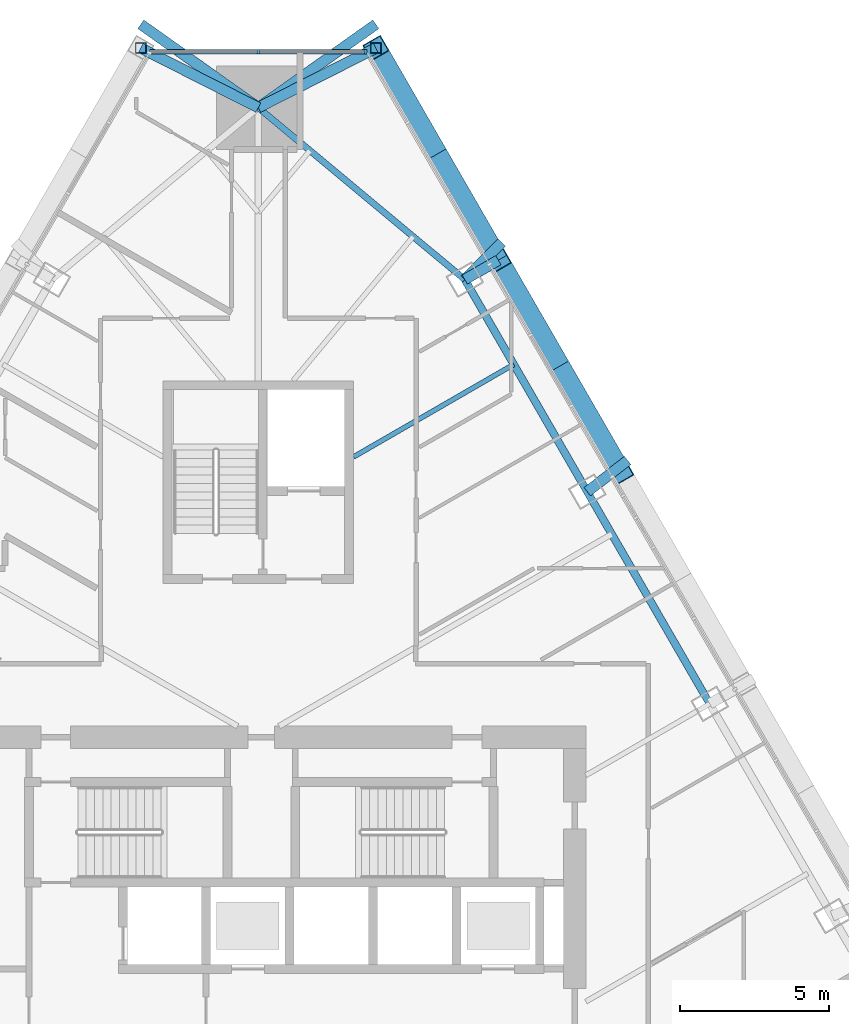
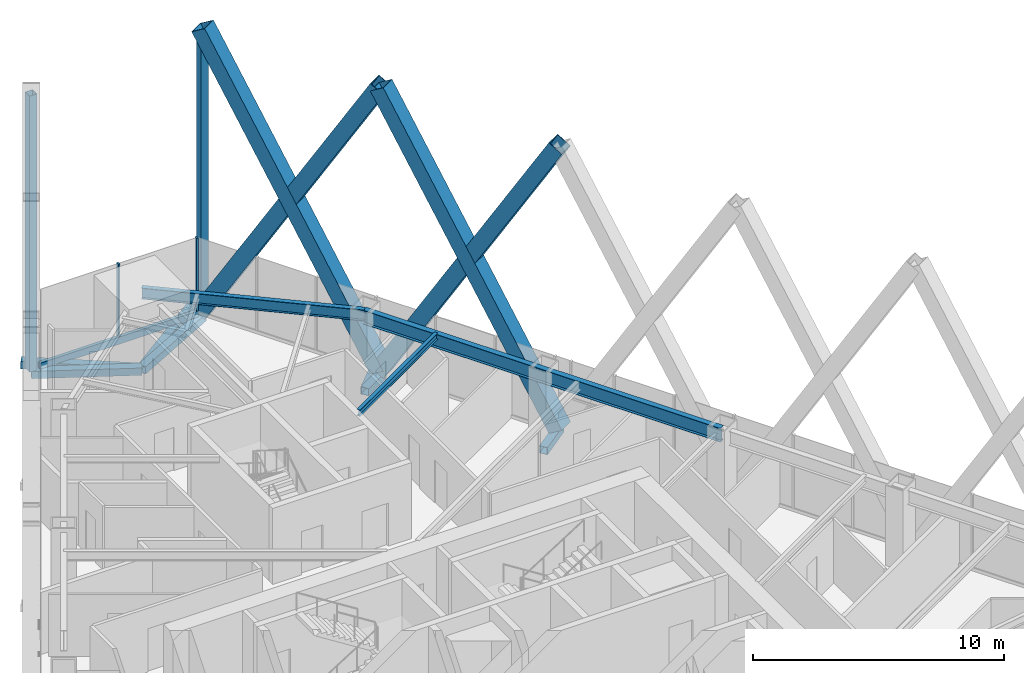
# One storey, part 11 of 19: 16 members, 3 beams, 1 element without a shape of its own.
"""IFC4 building model written with IfcOpenShell, lengths in metres."""

import ifcopenshell
import ifcopenshell.guid

model = None  # the IFC model being written
_history = None  # IfcOwnerHistory: only IFC2X3 demands one
_inside = {}  # id of a spatial element -> (the spatial element, [elements in it])
_under = {}  # id of a project, library or spatial element -> (it, [spatial elements below it])
_declared = {}  # id of a project -> (the project, [libraries it declares])
_typed = {}  # id of a type object -> (the type object, [elements of that type])
_made_of = {}  # id of a material, layer set ... -> (it, [elements and type objects made of it])


def new_model(schema):
    """Start an empty IFC model of exactly this schema.

    Asked for "IFC4X3", IfcOpenShell would pick the latest addendum, in which some entities
    have other attributes; the version numbers below select the first issue.
    IFC2X3 requires an IfcOwnerHistory on every rooted entity: one is made here for all.
    """
    global model, _history
    if schema == "IFC4X3":
        model = ifcopenshell.file(schema_version=(4, 3, 0, 0))
    else:
        model = ifcopenshell.file(schema=schema)
    _inside.clear()
    _under.clear()
    _declared.clear()
    _typed.clear()
    _made_of.clear()
    _history = None
    if model.schema == "IFC2X3":
        org = make("IfcOrganization", Name="unknown")
        user = make(
            "IfcPersonAndOrganization",
            ThePerson=make("IfcPerson", FamilyName="unknown"),
            TheOrganization=org,
        )
        app = make(
            "IfcApplication",
            ApplicationDeveloper=org,
            Version="unknown",
            ApplicationFullName="unknown",
            ApplicationIdentifier="unknown",
        )
        _history = make(
            "IfcOwnerHistory",
            OwningUser=user,
            OwningApplication=app,
            ChangeAction="ADDED",
            CreationDate=0,
        )
    return model


def make(cls, **values):
    """One entity of the class cls with the attributes given. An attribute that is None is left unset."""
    return model.create_entity(
        cls, **{name: value for name, value in values.items() if value is not None}
    )


def rooted(cls, **values):
    """An entity with a GlobalId (a new one), such as an element, a storey or a relation."""
    return make(cls, GlobalId=ifcopenshell.guid.new(), OwnerHistory=_history, **values)


def si_unit(unit_type, name, prefix=None):
    """IfcSIUnit, for example si_unit("LENGTHUNIT", "METRE", prefix="MILLI")."""
    return make("IfcSIUnit", UnitType=unit_type, Prefix=prefix, Name=name)


def assignment(units):
    """IfcUnitAssignment: the units of a project."""
    return None if units is None else make("IfcUnitAssignment", Units=units)


def point(xyz):
    """IfcCartesianPoint."""
    return None if xyz is None else make("IfcCartesianPoint", Coordinates=xyz)


def direction(xyz):
    """IfcDirection."""
    return None if xyz is None else make("IfcDirection", DirectionRatios=xyz)


def frame(location, z_axis=None, x_axis=None):
    """IfcAxis2Placement3D, a coordinate frame: its origin and axes. An axis left out is left unset."""
    return make(
        "IfcAxis2Placement3D",
        Location=point(location),
        Axis=direction(z_axis),
        RefDirection=direction(x_axis),
    )


def frame_2d(location, x_axis=None):
    """IfcAxis2Placement2D, a coordinate frame in the plane: its origin and x axis."""
    return make(
        "IfcAxis2Placement2D", Location=point(location), RefDirection=direction(x_axis)
    )


def origin():
    """The frame at (0, 0, 0) with its axes left unset."""
    return frame((0.0, 0.0, 0.0))


def origin_2d():
    """The frame at (0, 0) in the plane with its x axis left unset."""
    return frame_2d((0.0, 0.0))


def place(relative_to, where):
    """IfcLocalPlacement: puts the frame where relative to a parent placement (None: the world)."""
    return make(
        "IfcLocalPlacement", PlacementRelTo=relative_to, RelativePlacement=where
    )


def context(
    kind, dimensions, precision=None, world=None, true_north=None, identifier=None
):
    """IfcGeometricRepresentationContext, for example the 3D "Model" context."""
    return make(
        "IfcGeometricRepresentationContext",
        ContextIdentifier=identifier,
        ContextType=kind,
        CoordinateSpaceDimension=dimensions,
        Precision=precision,
        WorldCoordinateSystem=world,
        TrueNorth=true_north,
    )


def subcontext(parent, identifier, kind, view, scale=None):
    """IfcGeometricRepresentationSubContext, for example "Body" below "Model"."""
    return make(
        "IfcGeometricRepresentationSubContext",
        ContextIdentifier=identifier,
        ContextType=kind,
        ParentContext=parent,
        TargetScale=scale,
        TargetView=view,
    )


def project(units=None, contexts=None):
    """IfcProject with its units and contexts."""
    return rooted(
        "IfcProject",
        Name="project",
        RepresentationContexts=contexts,
        UnitsInContext=assignment(units),
    )


def spatial(cls, under=None, at=None, **own):
    """A site, building, storey or space (cls), placed at a placement, below another one or the project."""
    s = rooted(cls, ObjectPlacement=at, **own)
    if under is not None:
        _under.setdefault(under.id(), (under, []))[1].append(s)
    return s


def profile(cls, at=None, kind="AREA", **sizes):
    """A parametric profile (cls). Its sizes go by their IFC names, for example OverallWidth=200.0."""
    return make(cls, ProfileType=kind, Position=at, **sizes)


def rectangle(**sizes):
    """IfcRectangleProfileDef."""
    return profile("IfcRectangleProfileDef", **sizes)


def hollow_rectangle(**sizes):
    """IfcRectangleHollowProfileDef."""
    return profile("IfcRectangleHollowProfileDef", **sizes)


def i_section(**sizes):
    """IfcIShapeProfileDef."""
    return profile("IfcIShapeProfileDef", **sizes)


def extrude(swept, where, along, depth):
    """IfcExtrudedAreaSolid: the profile swept, set in the frame where, extruded along a direction by depth."""
    return make(
        "IfcExtrudedAreaSolid",
        SweptArea=swept,
        Position=where,
        ExtrudedDirection=direction(along),
        Depth=depth,
    )


def shape(context_of_items, identifier, shape_type, items):
    """IfcShapeRepresentation: the items that make up one representation, for example the "Body"."""
    return make(
        "IfcShapeRepresentation",
        ContextOfItems=context_of_items,
        RepresentationIdentifier=identifier,
        RepresentationType=shape_type,
        Items=items,
    )


def material(Name=None, Category=None):
    """IfcMaterial."""
    return make("IfcMaterial", Name=Name, Category=Category)


def layer(
    of_material, thickness, ventilated=None, Name=None, Category=None, Priority=None
):
    """IfcMaterialLayer: one layer of a wall or slab, of a material (None: an air gap)."""
    return make(
        "IfcMaterialLayer",
        Material=of_material,
        LayerThickness=thickness,
        IsVentilated=ventilated,
        Name=Name,
        Category=Category,
        Priority=Priority,
    )


def layer_set(layers, Name=None):
    """IfcMaterialLayerSet."""
    return make("IfcMaterialLayerSet", MaterialLayers=layers, LayerSetName=Name)


def material_profile(
    of_material, cross_section, Name=None, Category=None, Priority=None
):
    """IfcMaterialProfile: a cross section and its material."""
    return make(
        "IfcMaterialProfile",
        Name=Name,
        Material=of_material,
        Profile=cross_section,
        Priority=Priority,
        Category=Category,
    )


def profile_set(profiles, Name=None, composite=None):
    """IfcMaterialProfileSet."""
    return make(
        "IfcMaterialProfileSet",
        Name=Name,
        MaterialProfiles=profiles,
        CompositeProfile=composite,
    )


def made_of(thing, what):
    """Note that an element or type object is made of a material, layer set ...; save() writes the relation."""
    if what is not None:
        _made_of.setdefault(what.id(), (what, []))[1].append(thing)
    return thing


def type_object(cls, material=None, **own):
    """A type object (cls), such as IfcWallType, which elements share."""
    return made_of(rooted(cls, **own), material)


def element(
    cls,
    number,
    at=None,
    inside=None,
    cuts=None,
    type_object=None,
    material=None,
    context=None,
    identifier="Body",
    shape_type=None,
    held_by="IfcProductDefinitionShape",
    body=None,
    shapes=None,
    **own,
):
    """One element of the class cls, such as IfcWall. Its Tag is "e" and its number.

    at: its placement. inside: the storey or other place that contains it. cuts: it is an
    opening in that element (IfcRelVoidsElement). A single representation is given by context,
    identifier, shape_type and body (its items); several are given by shapes. held_by: the class
    of the entity that holds the representations. save() writes the other relations.
    """
    e = rooted(cls, Tag="e%d" % number, ObjectPlacement=at, **own)
    if body is not None:
        shapes = [shape(context, identifier, shape_type, body)]
    if shapes is not None:
        e.Representation = make(held_by, Representations=shapes)
    if inside is not None:
        _inside.setdefault(inside.id(), (inside, []))[1].append(e)
    if cuts is not None:
        rooted(
            "IfcRelVoidsElement", RelatingBuildingElement=cuts, RelatedOpeningElement=e
        )
    if type_object is not None:
        _typed.setdefault(type_object.id(), (type_object, []))[1].append(e)
    return made_of(e, material)


def aggregate(whole, parts):
    """IfcRelAggregates: a whole, such as a stair, and the parts it consists of."""
    return rooted("IfcRelAggregates", RelatingObject=whole, RelatedObjects=parts)


def save(model, path):
    """Write the relations noted so far, then the file.

    IfcRelAggregates (storeys below a building ...), IfcRelContainedInSpatialStructure (elements
    in a storey), IfcRelDefinesByType, IfcRelAssociatesMaterial and IfcRelDeclares: one each for
    every whole, place, type object, material and project.
    """
    for whole, parts in _under.values():
        aggregate(whole, parts)
    for where, things in _inside.values():
        rooted(
            "IfcRelContainedInSpatialStructure",
            RelatedElements=things,
            RelatingStructure=where,
        )
    for kind, things in _typed.values():
        rooted("IfcRelDefinesByType", RelatedObjects=things, RelatingType=kind)
    for what, things in _made_of.values():
        rooted("IfcRelAssociatesMaterial", RelatedObjects=things, RelatingMaterial=what)
    for by, libraries in _declared.values():
        rooted("IfcRelDeclares", RelatingContext=by, RelatedDefinitions=libraries)
    model.write(path)


model = new_model("IFC4")

# Units and contexts
model_context = context("Model", 3, precision=1e-05, world=origin(), true_north=direction((0.0, 1.0)))
body_context = subcontext(model_context, "Body", "Model", "MODEL_VIEW")
ifc_project = project(units=[si_unit("LENGTHUNIT", "METRE"), si_unit("AREAUNIT", "SQUARE_METRE"), si_unit("VOLUMEUNIT", "CUBIC_METRE"), si_unit("PLANEANGLEUNIT", "RADIAN"), si_unit("MASSUNIT", "GRAM", prefix="KILO")], contexts=[model_context])

# Site, building, storey
site_placement = place(None, origin())
site = spatial("IfcSite", under=ifc_project, at=site_placement, CompositionType="ELEMENT")
building_placement = place(site_placement, origin())
building = spatial("IfcBuilding", under=site, at=building_placement, Name="Firuza Gate Tower and Library", CompositionType="ELEMENT")
storey_placement = place(building_placement, frame((0.0, 0.0, 233.800048828125)))
storey = spatial("IfcBuildingStorey", under=building, at=storey_placement, Name="L55", CompositionType="ELEMENT", Elevation=233.800048828125)

# Members
ifc_material_1 = material(Name="Steel S355", Category="steel")
ifc_material_profile_1 = material_profile(ifc_material_1, hollow_rectangle(XDim=0.699951171875, YDim=0.699951171875, WallThickness=0.030029296875, at=origin_2d()))
ifc_profile_set_1 = profile_set([ifc_material_profile_1], Name="Steel S355")
member_type_1 = type_object("IfcMemberType", Name="BU700x700x30 Lattice brace", PredefinedType="BRACE", material=ifc_profile_set_1)
for number, where, z_axis, x_axis, name in (
    (1, (87.171875, 91.525634765625, 0.0), (-0.256001119482, 0.443405002033, 0.858985116865), (-0.866024454709, -0.500001643842, 0.0), "Lattice brace E 13.5R"),
    (2, (83.05908203125, 98.649169921875, 0.0), (0.256001119482, -0.443405002033, 0.858985116865), (0.866024454709, 0.500001643842, 0.0), "Lattice brace E 13.5L"),
    (3, (83.05908203125, 98.649169921875, 0.0), (-0.256001119482, 0.443405002033, 0.858985116865), (-0.866024454709, -0.500001643842, 0.0), "Lattice brace E 13.6R"),
    (4, (78.9462890625, 105.772705078125, 0.0), (0.256001119482, -0.443405002033, 0.858985116865), (0.866024454709, 0.500001643842, 0.0), "Lattice brace E 13.6L"),
):
    element("IfcMember", number, at=place(storey_placement, frame(where, z_axis=z_axis, x_axis=x_axis)), inside=storey, type_object=member_type_1, Name=name, PredefinedType="BRACE", context=body_context, shape_type="SweptSolid", body=[
        extrude(hollow_rectangle(XDim=0.699951171875, YDim=0.699951171875, WallThickness=0.030029296875, at=origin_2d()), origin(), (0.0, 0.0, 1.0), 16.0654296875),
    ])

# Curtain wall, members
ifc_material_2 = material(Name="Aluminium 6063-T6", Category="aluminium")
ifc_layer = layer(ifc_material_2, 0.14990234375)
ifc_layer_set = layer_set([ifc_layer], Name="Corner curtain wall, chamfers")
curtain_wall_type = type_object("IfcCurtainWallType", Name="Corner curtain wall, chamfers", PredefinedType="NOTDEFINED", material=ifc_layer_set)
curtain_wall_placement = place(storey_placement, origin())
curtain_wall = element("IfcCurtainWall", 5, at=curtain_wall_placement, inside=storey, type_object=curtain_wall_type, Name="CW4 L55 N corner", PredefinedType="NOTDEFINED")
ifc_material_3 = material(Name="Aluminium 6063-T6", Category="aluminium")
ifc_material_profile_2 = material_profile(ifc_material_3, rectangle(XDim=0.14990234375, YDim=0.080078125, at=origin_2d()))
ifc_profile_set_2 = profile_set([ifc_material_profile_2], Name="Aluminium 6063-T6")
member_type_2 = type_object("IfcMemberType", Name="Curtain wall mullion 80x150", PredefinedType="MULLION", material=ifc_profile_set_2)
member_1_placement = place(storey_placement, frame((78.603271484375, 105.647705078125, 0.14990234375), z_axis=(0.0, 0.0, 1.0), x_axis=(0.0, -1.0, 0.0)))
member_1 = element("IfcMember", 6, at=member_1_placement, type_object=member_type_2, Name="Mullion", PredefinedType="MULLION", context=body_context, shape_type="SweptSolid", body=[
    extrude(rectangle(XDim=0.14990234375, YDim=0.080078125, at=origin_2d()), origin(), (0.0, 0.0, 1.0), 3.550048828125),
])
member_2_placement = place(storey_placement, frame((75.0, 105.647705078125, 0.14990234375), z_axis=(0.0, 0.0, 1.0), x_axis=(0.0, -1.0, 0.0)))
member_2 = element("IfcMember", 7, at=member_2_placement, type_object=member_type_2, Name="Mullion", PredefinedType="MULLION", context=body_context, shape_type="SweptSolid", body=[
    extrude(rectangle(XDim=0.14990234375, YDim=0.080078125, at=origin_2d()), origin(), (0.0, 0.0, 1.0), 3.550048828125),
])
ifc_material_4 = material(Name="Aluminium 6063-T6", Category="aluminium")
ifc_material_profile_3 = material_profile(ifc_material_4, rectangle(XDim=0.14990234375, YDim=0.35009765625, at=origin_2d()))
ifc_profile_set_3 = profile_set([ifc_material_profile_3], Name="Aluminium 6063-T6")
member_type_3 = type_object("IfcMemberType", Name="Curtain wall transom 350x150", PredefinedType="USERDEFINED", material=ifc_profile_set_3)
member_3_placement = place(storey_placement, frame((78.643310546875, 105.647705078125, -0.025146484375), z_axis=(-1.0, 0.0, 0.0), x_axis=(0.0, -1.0, 0.0)))
member_3 = element("IfcMember", 8, at=member_3_placement, type_object=member_type_3, Name="Transom", ObjectType="TRANSOM", PredefinedType="USERDEFINED", context=body_context, shape_type="SweptSolid", body=[
    extrude(rectangle(XDim=0.14990234375, YDim=0.35009765625, at=origin_2d()), origin(), (0.0, 0.0, 1.0), 7.28662109375),
])
aggregate(curtain_wall, [member_1, member_2, member_3])

# Members
ifc_material_5 = material(Name="Steel S355", Category="steel")
ifc_material_profile_4 = material_profile(ifc_material_5, hollow_rectangle(XDim=0.355712890625, YDim=0.355712890625, WallThickness=0.014892578125, at=origin_2d()))
ifc_profile_set_4 = profile_set([ifc_material_profile_4], Name="Steel S355")
member_type_4 = type_object("IfcMemberType", Name="HSS356x356x16 Lattice corner stile", PredefinedType="BRACE", material=ifc_profile_set_4)
for number, where, z_axis, x_axis, name in (
    (9, (78.9462890625, 105.772705078125, -0.14013671875), (0.0, 0.0, 1.0), (1.0, 0.0, 0.0), "Lattice corner stile E 13.B"),
    (10, (71.0537109375, 105.772705078125, -0.14013671875), (0.0, 0.0, 1.0), (1.0, 0.0, 0.0), "Lattice corner stile W 13.A"),
):
    element("IfcMember", number, at=place(storey_placement, frame(where, z_axis=z_axis, x_axis=x_axis)), inside=storey, type_object=member_type_4, Name=name, PredefinedType="BRACE", context=body_context, shape_type="SweptSolid", body=[
        extrude(hollow_rectangle(XDim=0.355712890625, YDim=0.355712890625, WallThickness=0.014892578125, at=origin_2d()), origin(), (0.0, 0.0, 1.0), 13.440185546875),
    ])
ifc_material_6 = material(Name="Steel S355", Category="steel")
ifc_material_profile_5 = material_profile(ifc_material_6, hollow_rectangle(XDim=0.355712890625, YDim=0.355712890625, WallThickness=0.014892578125, at=origin_2d()))
ifc_profile_set_5 = profile_set([ifc_material_profile_5], Name="Steel S355")
member_type_5 = type_object("IfcMemberType", Name="HSS356x356x16 Lattice node tie", PredefinedType="BRACE", material=ifc_profile_set_5)
member_4_placement = place(storey_placement, frame((75.0, 103.772705078125, -0.320068359375), z_axis=(0.815845890214, 0.578269386549, 0.0), x_axis=(-0.578269386549, 0.815845890214, 0.0)))
element("IfcMember", 11, at=member_4_placement, inside=storey, type_object=member_type_5, Name="Lattice node tie E L55 289", PredefinedType="BRACE", context=body_context, shape_type="SweptSolid", body=[
    extrude(hollow_rectangle(XDim=0.355712890625, YDim=0.355712890625, WallThickness=0.014892578125, at=origin_2d()), origin(), (0.0, 0.0, 1.0), 4.837158203125),
])
member_5_placement = place(storey_placement, frame((75.0, 103.772705078125, -0.320068359375), z_axis=(0.891985934506, 0.452063151168, 0.0), x_axis=(-0.452063151168, 0.891985934506, 0.0)))
element("IfcMember", 12, at=member_5_placement, inside=storey, type_object=member_type_5, Name="Lattice node tie E L55 290", PredefinedType="BRACE", context=body_context, shape_type="SweptSolid", body=[
    extrude(hollow_rectangle(XDim=0.355712890625, YDim=0.355712890625, WallThickness=0.014892578125, at=origin_2d()), origin(), (0.0, 0.0, 1.0), 4.424072265625),
])
member_6_placement = place(storey_placement, frame((81.933349609375, 97.9990234375, -0.320068359375), z_axis=(0.705161901246, 0.709046326435, 0.0), x_axis=(-0.709046326435, 0.705161901246, 0.0)))
element("IfcMember", 13, at=member_6_placement, inside=storey, type_object=member_type_5, Name="Lattice node tie E L55 291", PredefinedType="BRACE", context=body_context, shape_type="SweptSolid", body=[
    extrude(hollow_rectangle(XDim=0.355712890625, YDim=0.355712890625, WallThickness=0.014892578125, at=origin_2d()), origin(), (0.0, 0.0, 1.0), 1.759765625),
])
member_7_placement = place(storey_placement, frame((81.933349609375, 97.9990234375, -0.320068359375), z_axis=(0.86595725628, 0.500118016368, 0.0), x_axis=(-0.500118016368, 0.86595725628, 0.0)))
element("IfcMember", 14, at=member_7_placement, inside=storey, type_object=member_type_5, Name="Lattice node tie E L55 292", PredefinedType="BRACE", context=body_context, shape_type="SweptSolid", body=[
    extrude(hollow_rectangle(XDim=0.355712890625, YDim=0.355712890625, WallThickness=0.014892578125, at=origin_2d()), origin(), (0.0, 0.0, 1.0), 1.300048828125),
])
member_8_placement = place(storey_placement, frame((86.046142578125, 90.87548828125, -0.320068359375), z_axis=(0.791059417133, 0.611739322396, 0.0), x_axis=(-0.611739322396, 0.791059417133, 0.0)))
element("IfcMember", 15, at=member_8_placement, inside=storey, type_object=member_type_5, Name="Lattice node tie E L55 293", PredefinedType="BRACE", context=body_context, shape_type="SweptSolid", body=[
    extrude(hollow_rectangle(XDim=0.355712890625, YDim=0.355712890625, WallThickness=0.014892578125, at=origin_2d()), origin(), (0.0, 0.0, 1.0), 1.714111328125),
])
member_9_placement = place(storey_placement, frame((75.0, 103.772705078125, -0.320068359375), z_axis=(-0.815845890214, 0.578269386549, 0.0), x_axis=(-0.578269386549, -0.815845890214, 0.0)))
element("IfcMember", 16, at=member_9_placement, inside=storey, type_object=member_type_5, Name="Lattice node tie W L55 320", PredefinedType="BRACE", context=body_context, shape_type="SweptSolid", body=[
    extrude(hollow_rectangle(XDim=0.355712890625, YDim=0.355712890625, WallThickness=0.014892578125, at=origin_2d()), origin(), (0.0, 0.0, 1.0), 4.837158203125),
])
member_10_placement = place(storey_placement, frame((75.0, 103.772705078125, -0.320068359375), z_axis=(-0.891985934506, 0.452063151168, 0.0), x_axis=(-0.452063151168, -0.891985934506, 0.0)))
element("IfcMember", 17, at=member_10_placement, inside=storey, type_object=member_type_5, Name="Lattice node tie W L55 321", PredefinedType="BRACE", context=body_context, shape_type="SweptSolid", body=[
    extrude(hollow_rectangle(XDim=0.355712890625, YDim=0.355712890625, WallThickness=0.014892578125, at=origin_2d()), origin(), (0.0, 0.0, 1.0), 4.424072265625),
])

# Beams
ifc_material_7 = material(Name="Steel S355", Category="steel")
ifc_material_profile_6 = material_profile(ifc_material_7, i_section(OverallWidth=0.1650390625, OverallDepth=0.31005859375, WebThickness=0.005859375, FlangeThickness=0.009765625, at=origin_2d()))
ifc_profile_set_6 = profile_set([ifc_material_profile_6], Name="Steel S355")
beam_type_1 = type_object("IfcBeamType", Name="W310x39 Floor beam", PredefinedType="JOIST", material=ifc_profile_set_6)
beam_1_placement = place(storey_placement, frame((83.578369140625, 95.149658203125, 3.544921875), z_axis=(-0.866025853686, -0.499999220746, 0.0), x_axis=(0.499999220746, -0.866025853686, 0.0)))
element("IfcBeam", 18, at=beam_1_placement, inside=storey, type_object=beam_type_1, Name="Floor beam L55 s54", PredefinedType="JOIST", context=body_context, shape_type="SweptSolid", body=[
    extrude(i_section(OverallWidth=0.1650390625, OverallDepth=0.31005859375, WebThickness=0.005859375, FlangeThickness=0.009765625, at=origin_2d()), origin(), (0.0, 0.0, 1.0), 6.21044921875),
])
ifc_material_8 = material(Name="Steel S355", Category="steel")
ifc_material_profile_7 = material_profile(ifc_material_8, i_section(OverallWidth=0.212890625, OverallDepth=0.5390625, WebThickness=0.01171875, FlangeThickness=0.018798828125, at=origin_2d()))
ifc_profile_set_7 = profile_set([ifc_material_profile_7], Name="Steel S355")
beam_type_2 = type_object("IfcBeamType", Name="W530x109 Edge beam", PredefinedType="SPANDREL", material=ifc_profile_set_7)
beam_2_placement = place(storey_placement, frame((81.933349609375, 97.9990234375, 3.430419921875), z_axis=(-0.768445244638, 0.639915545985, 0.0), x_axis=(-0.639915545985, -0.768445244638, 0.0)))
element("IfcBeam", 19, at=beam_2_placement, inside=storey, type_object=beam_type_2, Name="Edge beam L55 e60", PredefinedType="SPANDREL", context=body_context, shape_type="SweptSolid", body=[
    extrude(i_section(OverallWidth=0.212890625, OverallDepth=0.5390625, WebThickness=0.01171875, FlangeThickness=0.018798828125, at=origin_2d()), origin(), (0.0, 0.0, 1.0), 9.0224609375),
])
ifc_material_9 = material(Name="Steel S355", Category="steel")
ifc_material_profile_8 = material_profile(ifc_material_9, i_section(OverallWidth=0.2529296875, OverallDepth=0.677978515625, WebThickness=0.01171875, FlangeThickness=0.016357421875, at=origin_2d()))
ifc_profile_set_8 = profile_set([ifc_material_profile_8], Name="Steel S355")
beam_type_3 = type_object("IfcBeamType", Name="W690x125 Edge beam", PredefinedType="SPANDREL", material=ifc_profile_set_8)
beam_3_placement = place(storey_placement, frame((90.158935546875, 83.751953125, 3.36083984375), z_axis=(-0.500001643842, 0.866024454709, 0.0), x_axis=(-0.866024454709, -0.500001643842, 0.0)))
element("IfcBeam", 20, at=beam_3_placement, inside=storey, type_object=beam_type_3, Name="Edge beam L55 e52", PredefinedType="SPANDREL", context=body_context, shape_type="SweptSolid", body=[
    extrude(i_section(OverallWidth=0.2529296875, OverallDepth=0.677978515625, WebThickness=0.01171875, FlangeThickness=0.016357421875, at=origin_2d()), origin(), (0.0, 0.0, 1.0), 16.451171875),
])

save(model, "model.ifc")
